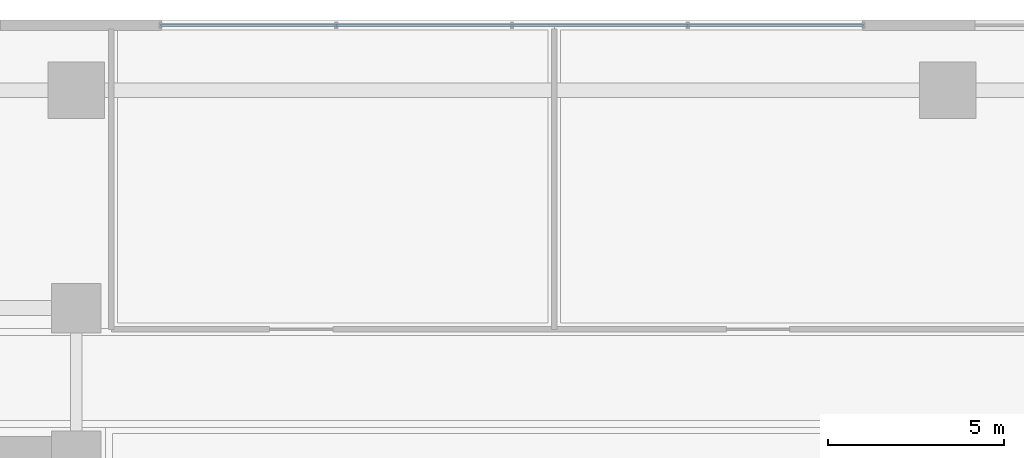
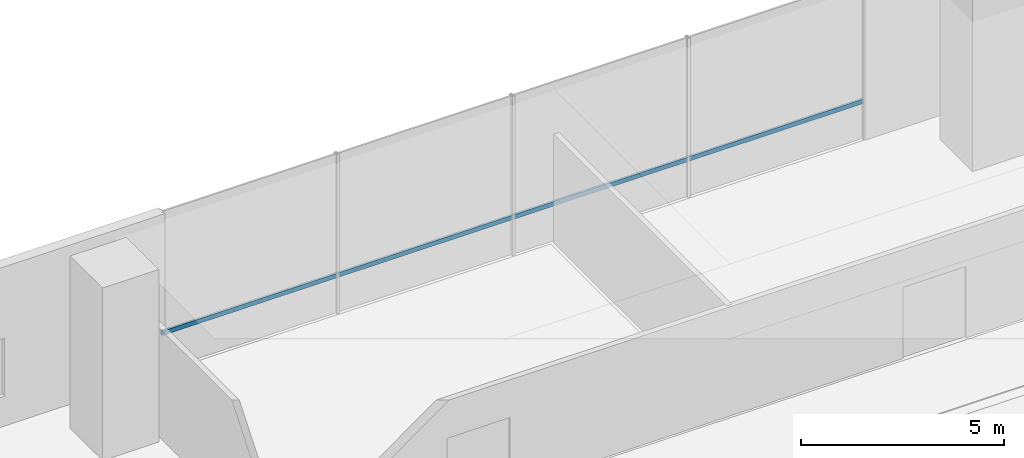
# One storey, part 17 of 39: 1 member, 1 element without a shape of its own.
"""IFC4 building model written with IfcOpenShell, lengths in metres."""

from ifc_helpers import new_model, si_unit, direction, frame, origin, origin_2d, place, context, subcontext, project, spatial, hollow_rectangle, extrude, source, transform, mapped, material, material_profile, profile_set, type_object, element, aggregate, save


model = new_model("IFC4")

# Units and contexts
model_context = context("Model", 3, precision=1e-05, world=origin(), true_north=direction((0.0, 1.0)))
body_context = subcontext(model_context, "Body", "Model", "MODEL_VIEW")
ifc_project = project(units=[si_unit("LENGTHUNIT", "METRE"), si_unit("AREAUNIT", "SQUARE_METRE"), si_unit("VOLUMEUNIT", "CUBIC_METRE"), si_unit("PLANEANGLEUNIT", "RADIAN"), si_unit("MASSUNIT", "GRAM", prefix="KILO")], contexts=[model_context])

# Site, building, storey
site_placement = place(None, origin())
site = spatial("IfcSite", under=ifc_project, at=site_placement, CompositionType="ELEMENT")
building_placement = place(site_placement, origin())
building = spatial("IfcBuilding", under=site, at=building_placement, Name="Valdorenza Pilgrim Sanctuary Tower", CompositionType="ELEMENT")
storey_placement = place(building_placement, frame((0.0, 0.0, 15.60009765625)))
storey = spatial("IfcBuildingStorey", under=building, at=storey_placement, Name="L03", CompositionType="ELEMENT", Elevation=15.60009765625)

# Curtain wall, member
ifc_material_1 = material(Name="Curtain-wall IGU glazing", Category="glass")
curtain_wall_type = type_object("IfcCurtainWallType", Name="CW-SYS-01", PredefinedType="NOTDEFINED", material=ifc_material_1)
curtain_wall_placement = place(storey_placement, origin())
curtain_wall = element("IfcCurtainWall", 1, at=curtain_wall_placement, inside=storey, type_object=curtain_wall_type, Name="L03 Curtain Wall CW-POD-L03-NN", PredefinedType="NOTDEFINED")
ifc_material_2 = material(Name="Anodised aluminium AW-6060", Category="aluminium")
ifc_material_profile = material_profile(ifc_material_2, hollow_rectangle(XDim=0.06494140625, YDim=0.1298828125, WallThickness=0.00341796875, at=origin_2d()), Name="ALU-T 130x65x3.5")
ifc_profile_set = profile_set([ifc_material_profile], Name="Anodised aluminium AW-6060")
member_type = type_object("IfcMemberType", Name="CW-TRN-01", PredefinedType="USERDEFINED", material=ifc_profile_set)
shared_shape = source(origin(), body_context, "Body", "SweptSolid", [
    extrude(hollow_rectangle(XDim=0.06494140625, YDim=0.1298828125, WallThickness=0.00341796875, at=origin_2d()), origin(), (0.0, 0.0, 1.0), 20.0),
])
member_placement = place(storey_placement, frame((-10.0, 22.85009765625, 1.119873046875), z_axis=(1.0, 0.0, 0.0), x_axis=(0.0, 1.0, 0.0)))
member = element("IfcMember", 2, at=member_placement, type_object=member_type, Name="CW-POD-L03-NN Transom 1", ObjectType="TRANSOM", PredefinedType="USERDEFINED", context=body_context, shape_type="MappedRepresentation", body=[
    mapped(shared_shape, transform((0.0, 0.0, 0.0), x_axis=(1.0, 0.0, 0.0), y_axis=(0.0, 1.0, 0.0), z_axis=(0.0, 0.0, 1.0), scale=1.0)),
])
aggregate(curtain_wall, [member])

save(model, "model.ifc")
